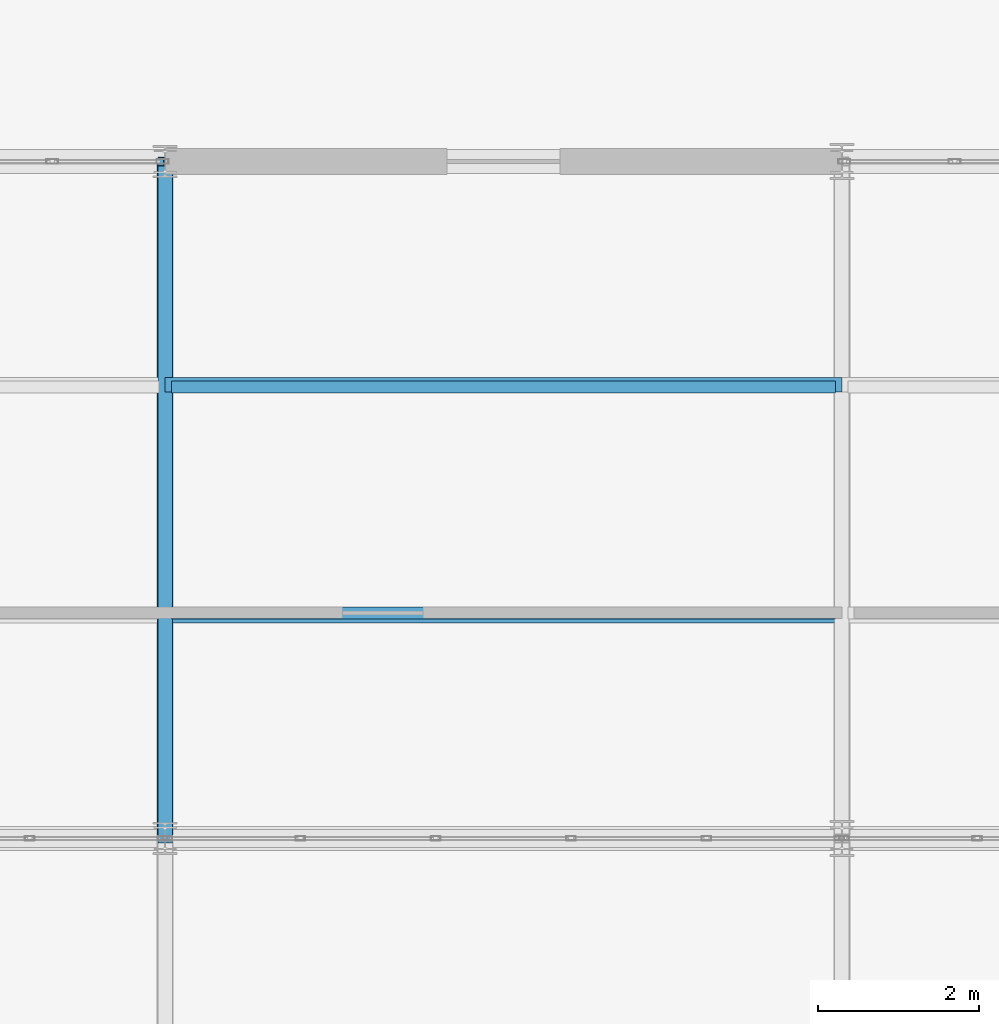
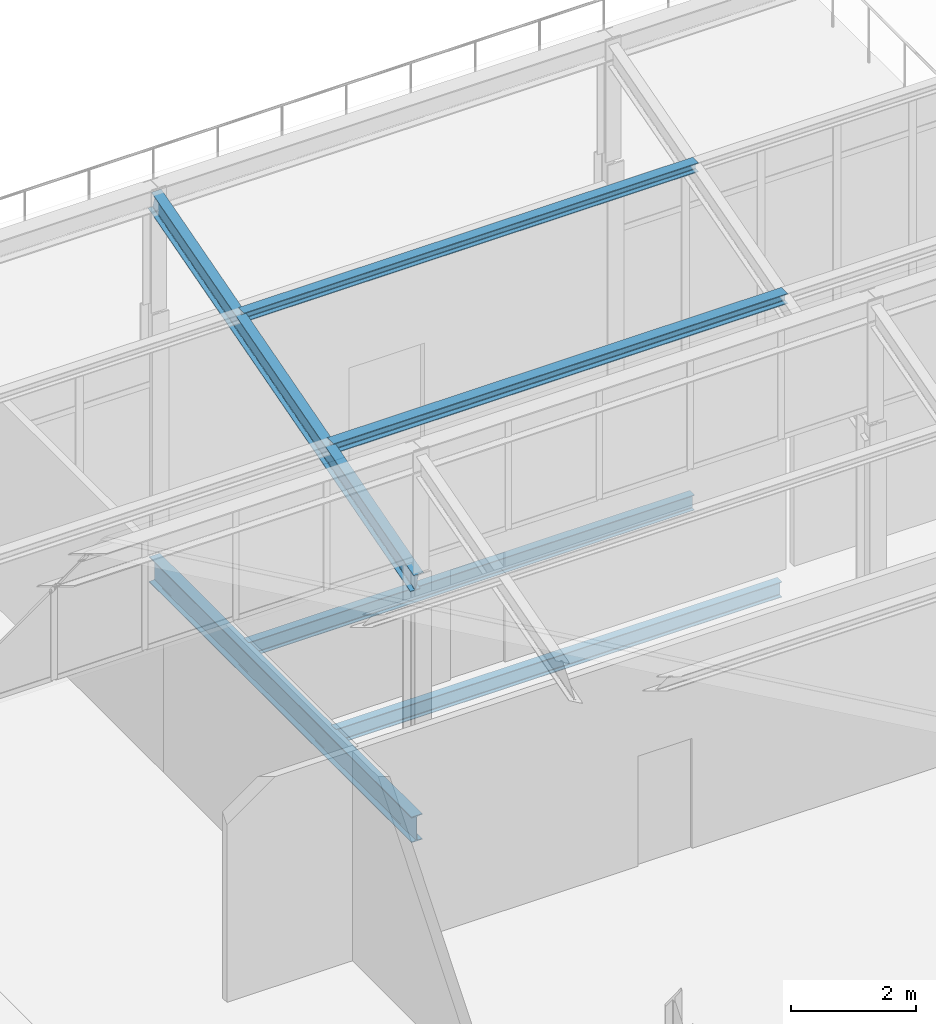
# One storey, part 29 of 53: 4 beams, 2 members.
"""IFC4 building model written with IfcOpenShell, lengths in metres."""

from ifc_helpers import new_model, si_unit, direction, frame, origin, origin_2d, place, context, subcontext, project, spatial, i_section, extrude, material, material_profile, profile_set, type_object, element, save


model = new_model("IFC4")

# Units and contexts
model_context = context("Model", 3, precision=1e-05, world=origin(), true_north=direction((0.0, 1.0)))
body_context = subcontext(model_context, "Body", "Model", "MODEL_VIEW")
ifc_project = project(units=[si_unit("LENGTHUNIT", "METRE"), si_unit("AREAUNIT", "SQUARE_METRE"), si_unit("VOLUMEUNIT", "CUBIC_METRE"), si_unit("PLANEANGLEUNIT", "RADIAN"), si_unit("MASSUNIT", "GRAM", prefix="KILO")], contexts=[model_context])

# Site, building, storey
site_placement = place(None, origin())
site = spatial("IfcSite", under=ifc_project, at=site_placement, CompositionType="ELEMENT")
building_placement = place(site_placement, origin())
building = spatial("IfcBuilding", under=site, at=building_placement, Name="Qalvenar Corner Mobility Hub", CompositionType="ELEMENT")
storey_placement = place(building_placement, frame((0.0, 0.0, 26.39990234375)))
storey = spatial("IfcBuildingStorey", under=building, at=storey_placement, Name="L06", CompositionType="ELEMENT", Elevation=26.39990234375)

# Beams
ifc_material = material(Name="Steel S355", Category="steel")
ifc_material_profile_1 = material_profile(ifc_material, i_section(OverallWidth=0.179931640625, OverallDepth=0.39990234375, WebThickness=0.008544921875, FlangeThickness=0.013427734375, FilletRadius=0.02099609375, at=origin_2d()), Name="IPE400")
ifc_profile_set_1 = profile_set([ifc_material_profile_1], Name="Steel S355")
beam_type_1 = type_object("IfcBeamType", Name="BM-IPE400", PredefinedType="BEAM", material=ifc_profile_set_1)
beam_1_placement = place(storey_placement, frame((25.199951171875, 25.199951171875, 4.340087890625), z_axis=(0.0, 0.961528165748, 0.274706364092), x_axis=(-1.0, 0.0, 0.0)))
element("IfcBeam", 1, at=beam_1_placement, inside=storey, type_object=beam_type_1, Name="Sawtooth Rafter V3RF-4-4", PredefinedType="BEAM", context=body_context, shape_type="SweptSolid", body=[
    extrude(i_section(OverallWidth=0.179931640625, OverallDepth=0.39990234375, WebThickness=0.008544921875, FlangeThickness=0.013427734375, FilletRadius=0.02099609375, at=origin_2d()), origin(), (0.0, 0.0, 1.0), 8.736328125),
])
ifc_material_profile_2 = material_profile(ifc_material, i_section(OverallWidth=0.199951171875, OverallDepth=0.5, WebThickness=0.01025390625, FlangeThickness=0.01611328125, FilletRadius=0.02099609375, at=origin_2d()), Name="IPE500")
ifc_profile_set_2 = profile_set([ifc_material_profile_2], Name="Steel S355")
beam_type_2 = type_object("IfcBeamType", Name="BM-IPE500", PredefinedType="BEAM", material=ifc_profile_set_2)
beam_2_placement = place(storey_placement, frame((25.199951171875, 25.199951171875, -0.469970703125), z_axis=(0.0, 1.0, 0.0), x_axis=(-1.0, 0.0, 0.0)))
element("IfcBeam", 2, at=beam_2_placement, inside=storey, type_object=beam_type_2, Name="Primary Steel Girder GY-3092", PredefinedType="BEAM", context=body_context, shape_type="SweptSolid", body=[
    extrude(i_section(OverallWidth=0.199951171875, OverallDepth=0.5, WebThickness=0.01025390625, FlangeThickness=0.01611328125, FilletRadius=0.02099609375, at=origin_2d()), origin(), (0.0, 0.0, 1.0), 8.400146484375),
])
ifc_material_profile_3 = material_profile(ifc_material, i_section(OverallWidth=0.14990234375, OverallDepth=0.300048828125, WebThickness=0.007080078125, FlangeThickness=0.0107421875, FilletRadius=0.014892578125, at=origin_2d()), Name="IPE300")
ifc_profile_set_3 = profile_set([ifc_material_profile_3], Name="Steel S355")
beam_type_3 = type_object("IfcBeamType", Name="BM-JST300", PredefinedType="JOIST", material=ifc_profile_set_3)
for number, where, z_axis, x_axis, name in (
    (3, (25.278076171875, 28.0, -0.369873046875), (1.0, 0.0, 0.0), (0.0, 1.0, 0.0), "Composite Floor Joist J-3130"),
    (4, (25.278076171875, 30.800048828125, -0.369873046875), (1.0, 0.0, 0.0), (0.0, 1.0, 0.0), "Composite Floor Joist J-3131"),
):
    element("IfcBeam", number, at=place(storey_placement, frame(where, z_axis=z_axis, x_axis=x_axis)), inside=storey, type_object=beam_type_3, Name=name, PredefinedType="JOIST", context=body_context, shape_type="SweptSolid", body=[
        extrude(i_section(OverallWidth=0.14990234375, OverallDepth=0.300048828125, WebThickness=0.007080078125, FlangeThickness=0.0107421875, FilletRadius=0.014892578125, at=origin_2d()), origin(), (0.0, 0.0, 1.0), 8.243896484375),
    ])

# Members
ifc_material_profile_4 = material_profile(ifc_material, i_section(OverallWidth=0.179931640625, OverallDepth=0.179931640625, WebThickness=0.008544921875, FlangeThickness=0.013916015625, FilletRadius=0.014892578125, at=origin_2d()), Name="HEB180")
ifc_profile_set_4 = profile_set([ifc_material_profile_4], Name="Steel S355")
member_type_1 = type_object("IfcMemberType", Name="PR-RHS180", PredefinedType="PURLIN", material=ifc_profile_set_4)
member_1_placement = place(storey_placement, frame((25.199951171875, 30.827880859375, 6.148193359375), z_axis=(1.0, 0.0, 0.0), x_axis=(0.0, 1.0, 0.0)))
element("IfcMember", 5, at=member_1_placement, inside=storey, type_object=member_type_1, Name="Sawtooth Roof Purlin PR-V3-4-4-67", PredefinedType="PURLIN", context=body_context, shape_type="SweptSolid", body=[
    extrude(i_section(OverallWidth=0.179931640625, OverallDepth=0.179931640625, WebThickness=0.008544921875, FlangeThickness=0.013916015625, FilletRadius=0.014892578125, at=origin_2d()), origin(), (0.0, 0.0, 1.0), 8.400146484375),
])
ifc_material_profile_5 = material_profile(ifc_material, i_section(OverallWidth=0.199951171875, OverallDepth=0.199951171875, WebThickness=0.009033203125, FlangeThickness=0.014892578125, FilletRadius=0.01806640625, at=origin_2d()), Name="HEB200")
ifc_profile_set_5 = profile_set([ifc_material_profile_5], Name="Steel S355")
member_type_2 = type_object("IfcMemberType", Name="PR-RHS200", PredefinedType="PURLIN", material=ifc_profile_set_5)
member_2_placement = place(storey_placement, frame((25.199951171875, 27.971923828125, 5.322021484375), z_axis=(1.0, 0.0, 0.0), x_axis=(0.0, 1.0, 0.0)))
element("IfcMember", 6, at=member_2_placement, inside=storey, type_object=member_type_2, Name="Sawtooth Roof Purlin PR-V3-4-4-33", PredefinedType="PURLIN", context=body_context, shape_type="SweptSolid", body=[
    extrude(i_section(OverallWidth=0.199951171875, OverallDepth=0.199951171875, WebThickness=0.009033203125, FlangeThickness=0.014892578125, FilletRadius=0.01806640625, at=origin_2d()), origin(), (0.0, 0.0, 1.0), 8.400146484375),
])

save(model, "model.ifc")
